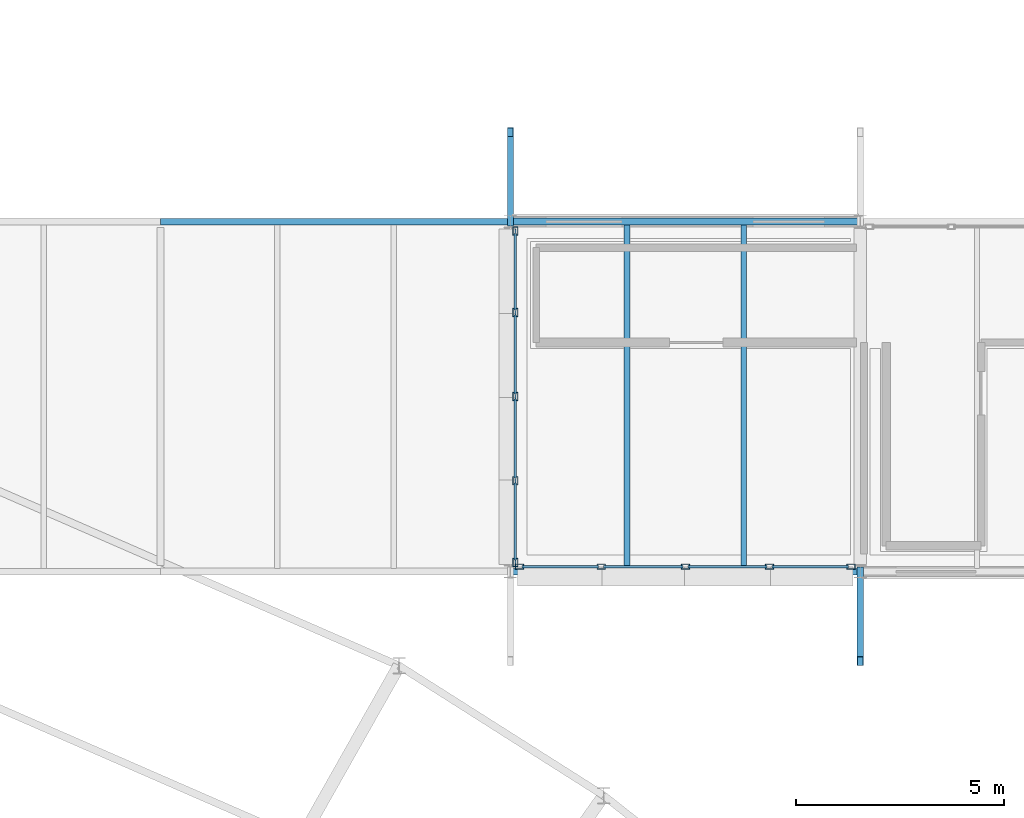
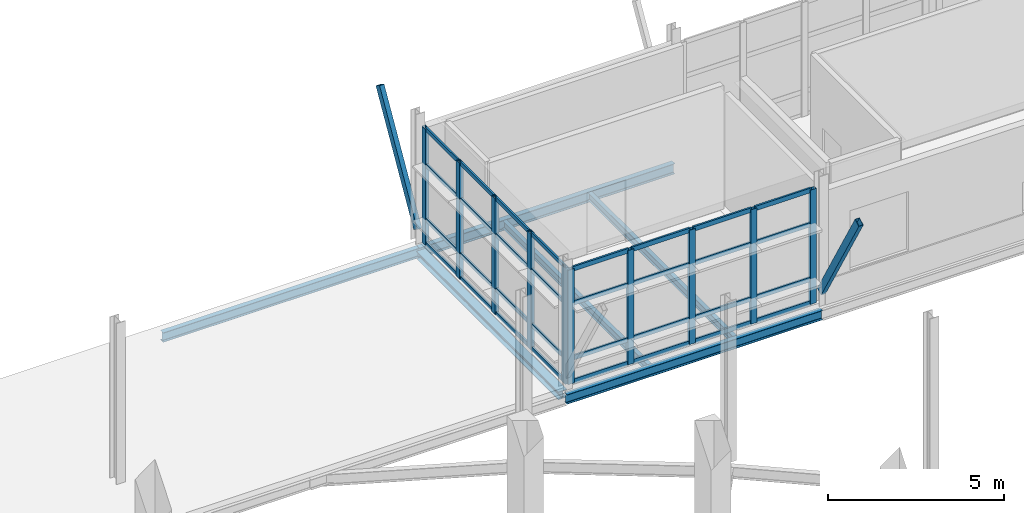
# One storey, part 20 of 129: 44 members, 6 beams, 2 elements without a shape of their own.
"""IFC4 building model written with IfcOpenShell, lengths in metres."""

from ifc_helpers import new_model, si_unit, direction, frame, origin, origin_2d, place, context, subcontext, project, spatial, hollow_rectangle, i_section, extrude, material, material_profile, profile_set, type_object, element, aggregate, save


model = new_model("IFC4")

# Units and contexts
model_context = context("Model", 3, precision=1e-05, world=origin(), true_north=direction((0.0, 1.0)))
body_context = subcontext(model_context, "Body", "Model", "MODEL_VIEW")
ifc_project = project(units=[si_unit("LENGTHUNIT", "METRE"), si_unit("AREAUNIT", "SQUARE_METRE"), si_unit("VOLUMEUNIT", "CUBIC_METRE"), si_unit("PLANEANGLEUNIT", "RADIAN"), si_unit("MASSUNIT", "GRAM", prefix="KILO")], contexts=[model_context])

# Site, building, storey
site_placement = place(None, origin())
site = spatial("IfcSite", under=ifc_project, at=site_placement, CompositionType="ELEMENT")
building_placement = place(site_placement, origin())
building = spatial("IfcBuilding", under=site, at=building_placement, Name="Mersafa Astral City Hall", CompositionType="ELEMENT")
storey_placement = place(building_placement, frame((0.0, 0.0, 5.39990234375)))
storey = spatial("IfcBuildingStorey", under=building, at=storey_placement, Name="L01", CompositionType="ELEMENT", Elevation=5.39990234375)

# Curtain wall, members
ifc_material_1 = material(Name="Anodised bronze aluminium framing", Category="aluminium")
curtain_wall_type_1 = type_object("IfcCurtainWallType", Name="ENV-CW-4", PredefinedType="USERDEFINED", material=ifc_material_1)
curtain_wall_1_placement = place(storey_placement, origin())
curtain_wall_1 = element("IfcCurtainWall", 1, at=curtain_wall_1_placement, inside=storey, type_object=curtain_wall_type_1, Name="L01 Unitised solar curtain wall 99", ObjectType="UNITISED CURTAIN WALL", PredefinedType="USERDEFINED")
ifc_material_profile_1 = material_profile(ifc_material_1, hollow_rectangle(XDim=0.1201171875, YDim=0.199951171875, WallThickness=0.008056640625, at=origin_2d()), Name="RHS 120x200x8")
ifc_profile_set_1 = profile_set([ifc_material_profile_1], Name="Anodised bronze aluminium framing")
member_type_1 = type_object("IfcMemberType", Name="ENV-CW-MUL-2", PredefinedType="MULLION", material=ifc_profile_set_1)
member_1_placement = place(storey_placement, frame((42.1201171875, 58.577880859375, -0.001953125), z_axis=(0.0, 0.0, 1.0), x_axis=(1.0, 0.0, 0.0)))
member_1 = element("IfcMember", 2, at=member_1_placement, type_object=member_type_1, Name="CW-4 mullion 1", PredefinedType="MULLION", context=body_context, shape_type="SweptSolid", body=[
    extrude(hollow_rectangle(XDim=0.1201171875, YDim=0.199951171875, WallThickness=0.008056640625, at=origin_2d()), origin(), (0.0, 0.0, 1.0), 4.029052734375),
])
member_2_placement = place(storey_placement, frame((42.1201171875, 56.618896484375, -0.001953125), z_axis=(0.0, 0.0, 1.0), x_axis=(1.0, 0.0, 0.0)))
member_2 = element("IfcMember", 3, at=member_2_placement, type_object=member_type_1, Name="CW-4 mullion 2", PredefinedType="MULLION", context=body_context, shape_type="SweptSolid", body=[
    extrude(hollow_rectangle(XDim=0.1201171875, YDim=0.199951171875, WallThickness=0.008056640625, at=origin_2d()), origin(), (0.0, 0.0, 1.0), 4.029052734375),
])
member_3_placement = place(storey_placement, frame((42.1201171875, 54.60009765625, -0.001953125), z_axis=(0.0, 0.0, 1.0), x_axis=(1.0, 0.0, 0.0)))
member_3 = element("IfcMember", 4, at=member_3_placement, type_object=member_type_1, Name="CW-4 mullion 3", PredefinedType="MULLION", context=body_context, shape_type="SweptSolid", body=[
    extrude(hollow_rectangle(XDim=0.1201171875, YDim=0.199951171875, WallThickness=0.008056640625, at=origin_2d()), origin(), (0.0, 0.0, 1.0), 4.029052734375),
])
member_4_placement = place(storey_placement, frame((42.1201171875, 52.5810546875, -0.001953125), z_axis=(0.0, 0.0, 1.0), x_axis=(1.0, 0.0, 0.0)))
member_4 = element("IfcMember", 5, at=member_4_placement, type_object=member_type_1, Name="CW-4 mullion 4", PredefinedType="MULLION", context=body_context, shape_type="SweptSolid", body=[
    extrude(hollow_rectangle(XDim=0.1201171875, YDim=0.199951171875, WallThickness=0.008056640625, at=origin_2d()), origin(), (0.0, 0.0, 1.0), 4.029052734375),
])
member_5_placement = place(storey_placement, frame((42.1201171875, 50.6220703125, -0.001953125), z_axis=(0.0, 0.0, 1.0), x_axis=(1.0, 0.0, 0.0)))
member_5 = element("IfcMember", 6, at=member_5_placement, type_object=member_type_1, Name="CW-4 mullion 5", PredefinedType="MULLION", context=body_context, shape_type="SweptSolid", body=[
    extrude(hollow_rectangle(XDim=0.1201171875, YDim=0.199951171875, WallThickness=0.008056640625, at=origin_2d()), origin(), (0.0, 0.0, 1.0), 4.029052734375),
])

curtain_wall_type_2 = type_object("IfcCurtainWallType", Name="ENV-CW-5", PredefinedType="USERDEFINED", material=ifc_material_1)
curtain_wall_2_placement = place(storey_placement, origin())
curtain_wall_2 = element("IfcCurtainWall", 7, at=curtain_wall_2_placement, inside=storey, type_object=curtain_wall_type_2, Name="L01 Unitised solar curtain wall 100", ObjectType="UNITISED CURTAIN WALL", PredefinedType="USERDEFINED")
member_6_placement = place(storey_placement, frame((42.221923828125, 50.52001953125, -0.001953125), z_axis=(0.0, 0.0, 1.0), x_axis=(0.0, 1.0, 0.0)))
member_6 = element("IfcMember", 8, at=member_6_placement, type_object=member_type_1, Name="CW-5 mullion 1", PredefinedType="MULLION", context=body_context, shape_type="SweptSolid", body=[
    extrude(hollow_rectangle(XDim=0.1201171875, YDim=0.199951171875, WallThickness=0.008056640625, at=origin_2d()), origin(), (0.0, 0.0, 1.0), 3.968994140625),
])
member_7_placement = place(storey_placement, frame((44.180908203125, 50.52001953125, -0.001953125), z_axis=(0.0, 0.0, 1.0), x_axis=(0.0, 1.0, 0.0)))
member_7 = element("IfcMember", 9, at=member_7_placement, type_object=member_type_1, Name="CW-5 mullion 2", PredefinedType="MULLION", context=body_context, shape_type="SweptSolid", body=[
    extrude(hollow_rectangle(XDim=0.1201171875, YDim=0.199951171875, WallThickness=0.008056640625, at=origin_2d()), origin(), (0.0, 0.0, 1.0), 3.968994140625),
])
member_8_placement = place(storey_placement, frame((46.199951171875, 50.52001953125, -0.001953125), z_axis=(0.0, 0.0, 1.0), x_axis=(0.0, 1.0, 0.0)))
member_8 = element("IfcMember", 10, at=member_8_placement, type_object=member_type_1, Name="CW-5 mullion 3", PredefinedType="MULLION", context=body_context, shape_type="SweptSolid", body=[
    extrude(hollow_rectangle(XDim=0.1201171875, YDim=0.199951171875, WallThickness=0.008056640625, at=origin_2d()), origin(), (0.0, 0.0, 1.0), 3.968994140625),
])
member_9_placement = place(storey_placement, frame((48.218994140625, 50.52001953125, -0.001953125), z_axis=(0.0, 0.0, 1.0), x_axis=(0.0, 1.0, 0.0)))
member_9 = element("IfcMember", 11, at=member_9_placement, type_object=member_type_1, Name="CW-5 mullion 4", PredefinedType="MULLION", context=body_context, shape_type="SweptSolid", body=[
    extrude(hollow_rectangle(XDim=0.1201171875, YDim=0.199951171875, WallThickness=0.008056640625, at=origin_2d()), origin(), (0.0, 0.0, 1.0), 3.968994140625),
])
member_10_placement = place(storey_placement, frame((50.177978515625, 50.52001953125, -0.001953125), z_axis=(0.0, 0.0, 1.0), x_axis=(0.0, 1.0, 0.0)))
member_10 = element("IfcMember", 12, at=member_10_placement, type_object=member_type_1, Name="CW-5 mullion 5", PredefinedType="MULLION", context=body_context, shape_type="SweptSolid", body=[
    extrude(hollow_rectangle(XDim=0.1201171875, YDim=0.199951171875, WallThickness=0.008056640625, at=origin_2d()), origin(), (0.0, 0.0, 1.0), 3.968994140625),
])

# Member
ifc_material_profile_2 = material_profile(ifc_material_1, hollow_rectangle(XDim=0.06005859375, YDim=0.139892578125, WallThickness=0.00390625, at=origin_2d()), Name="RHS 60x140x4")
ifc_profile_set_2 = profile_set([ifc_material_profile_2], Name="Anodised bronze aluminium framing")
member_type_2 = type_object("IfcMemberType", Name="ENV-CW-TRN-1", PredefinedType="USERDEFINED", material=ifc_profile_set_2)
member_11_placement = place(storey_placement, frame((42.1201171875, 58.51806640625, 0.028076171875), z_axis=(0.0, -1.0, 0.0), x_axis=(1.0, 0.0, 0.0)))
member_11 = element("IfcMember", 13, at=member_11_placement, type_object=member_type_2, Name="CW-4 transom 1.1", ObjectType="TRANSOM", PredefinedType="USERDEFINED", context=body_context, shape_type="SweptSolid", body=[
    extrude(hollow_rectangle(XDim=0.06005859375, YDim=0.139892578125, WallThickness=0.00390625, at=origin_2d()), origin(), (0.0, 0.0, 1.0), 1.839111328125),
])

member_12_placement = place(storey_placement, frame((42.1201171875, 58.51806640625, 0.85009765625), z_axis=(0.0, -1.0, 0.0), x_axis=(1.0, 0.0, 0.0)))
member_12 = element("IfcMember", 14, at=member_12_placement, type_object=member_type_2, Name="CW-4 transom 1.2", ObjectType="TRANSOM", PredefinedType="USERDEFINED", context=body_context, shape_type="SweptSolid", body=[
    extrude(hollow_rectangle(XDim=0.06005859375, YDim=0.139892578125, WallThickness=0.00390625, at=origin_2d()), origin(), (0.0, 0.0, 1.0), 1.839111328125),
])

member_13_placement = place(storey_placement, frame((42.1201171875, 58.51806640625, 2.75), z_axis=(0.0, -1.0, 0.0), x_axis=(1.0, 0.0, 0.0)))
member_13 = element("IfcMember", 15, at=member_13_placement, type_object=member_type_2, Name="CW-4 transom 1.3", ObjectType="TRANSOM", PredefinedType="USERDEFINED", context=body_context, shape_type="SweptSolid", body=[
    extrude(hollow_rectangle(XDim=0.06005859375, YDim=0.139892578125, WallThickness=0.00390625, at=origin_2d()), origin(), (0.0, 0.0, 1.0), 1.839111328125),
])

member_14_placement = place(storey_placement, frame((42.1201171875, 58.51806640625, 3.9970703125), z_axis=(0.0, -1.0, 0.0), x_axis=(1.0, 0.0, 0.0)))
member_14 = element("IfcMember", 16, at=member_14_placement, type_object=member_type_2, Name="CW-4 transom 1.4", ObjectType="TRANSOM", PredefinedType="USERDEFINED", context=body_context, shape_type="SweptSolid", body=[
    extrude(hollow_rectangle(XDim=0.06005859375, YDim=0.139892578125, WallThickness=0.00390625, at=origin_2d()), origin(), (0.0, 0.0, 1.0), 1.839111328125),
])

member_15_placement = place(storey_placement, frame((42.1201171875, 56.55908203125, 0.028076171875), z_axis=(0.0, -1.0, 0.0), x_axis=(1.0, 0.0, 0.0)))
member_15 = element("IfcMember", 17, at=member_15_placement, type_object=member_type_2, Name="CW-4 transom 2.1", ObjectType="TRANSOM", PredefinedType="USERDEFINED", context=body_context, shape_type="SweptSolid", body=[
    extrude(hollow_rectangle(XDim=0.06005859375, YDim=0.139892578125, WallThickness=0.00390625, at=origin_2d()), origin(), (0.0, 0.0, 1.0), 1.899169921875),
])

member_16_placement = place(storey_placement, frame((42.1201171875, 56.55908203125, 0.85009765625), z_axis=(0.0, -1.0, 0.0), x_axis=(1.0, 0.0, 0.0)))
member_16 = element("IfcMember", 18, at=member_16_placement, type_object=member_type_2, Name="CW-4 transom 2.2", ObjectType="TRANSOM", PredefinedType="USERDEFINED", context=body_context, shape_type="SweptSolid", body=[
    extrude(hollow_rectangle(XDim=0.06005859375, YDim=0.139892578125, WallThickness=0.00390625, at=origin_2d()), origin(), (0.0, 0.0, 1.0), 1.899169921875),
])

member_17_placement = place(storey_placement, frame((42.1201171875, 56.55908203125, 2.75), z_axis=(0.0, -1.0, 0.0), x_axis=(1.0, 0.0, 0.0)))
member_17 = element("IfcMember", 19, at=member_17_placement, type_object=member_type_2, Name="CW-4 transom 2.3", ObjectType="TRANSOM", PredefinedType="USERDEFINED", context=body_context, shape_type="SweptSolid", body=[
    extrude(hollow_rectangle(XDim=0.06005859375, YDim=0.139892578125, WallThickness=0.00390625, at=origin_2d()), origin(), (0.0, 0.0, 1.0), 1.899169921875),
])

member_18_placement = place(storey_placement, frame((42.1201171875, 56.55908203125, 3.9970703125), z_axis=(0.0, -1.0, 0.0), x_axis=(1.0, 0.0, 0.0)))
member_18 = element("IfcMember", 20, at=member_18_placement, type_object=member_type_2, Name="CW-4 transom 2.4", ObjectType="TRANSOM", PredefinedType="USERDEFINED", context=body_context, shape_type="SweptSolid", body=[
    extrude(hollow_rectangle(XDim=0.06005859375, YDim=0.139892578125, WallThickness=0.00390625, at=origin_2d()), origin(), (0.0, 0.0, 1.0), 1.899169921875),
])

member_19_placement = place(storey_placement, frame((42.1201171875, 54.5400390625, 0.028076171875), z_axis=(0.0, -1.0, 0.0), x_axis=(1.0, 0.0, 0.0)))
member_19 = element("IfcMember", 21, at=member_19_placement, type_object=member_type_2, Name="CW-4 transom 3.1", ObjectType="TRANSOM", PredefinedType="USERDEFINED", context=body_context, shape_type="SweptSolid", body=[
    extrude(hollow_rectangle(XDim=0.06005859375, YDim=0.139892578125, WallThickness=0.00390625, at=origin_2d()), origin(), (0.0, 0.0, 1.0), 1.89892578125),
])

member_20_placement = place(storey_placement, frame((42.1201171875, 54.5400390625, 0.85009765625), z_axis=(0.0, -1.0, 0.0), x_axis=(1.0, 0.0, 0.0)))
member_20 = element("IfcMember", 22, at=member_20_placement, type_object=member_type_2, Name="CW-4 transom 3.2", ObjectType="TRANSOM", PredefinedType="USERDEFINED", context=body_context, shape_type="SweptSolid", body=[
    extrude(hollow_rectangle(XDim=0.06005859375, YDim=0.139892578125, WallThickness=0.00390625, at=origin_2d()), origin(), (0.0, 0.0, 1.0), 1.89892578125),
])

member_21_placement = place(storey_placement, frame((42.1201171875, 54.5400390625, 2.75), z_axis=(0.0, -1.0, 0.0), x_axis=(1.0, 0.0, 0.0)))
member_21 = element("IfcMember", 23, at=member_21_placement, type_object=member_type_2, Name="CW-4 transom 3.3", ObjectType="TRANSOM", PredefinedType="USERDEFINED", context=body_context, shape_type="SweptSolid", body=[
    extrude(hollow_rectangle(XDim=0.06005859375, YDim=0.139892578125, WallThickness=0.00390625, at=origin_2d()), origin(), (0.0, 0.0, 1.0), 1.89892578125),
])

member_22_placement = place(storey_placement, frame((42.1201171875, 54.5400390625, 3.9970703125), z_axis=(0.0, -1.0, 0.0), x_axis=(1.0, 0.0, 0.0)))
member_22 = element("IfcMember", 24, at=member_22_placement, type_object=member_type_2, Name="CW-4 transom 3.4", ObjectType="TRANSOM", PredefinedType="USERDEFINED", context=body_context, shape_type="SweptSolid", body=[
    extrude(hollow_rectangle(XDim=0.06005859375, YDim=0.139892578125, WallThickness=0.00390625, at=origin_2d()), origin(), (0.0, 0.0, 1.0), 1.89892578125),
])

member_23_placement = place(storey_placement, frame((42.1201171875, 52.52099609375, 0.028076171875), z_axis=(0.0, -1.0, 0.0), x_axis=(1.0, 0.0, 0.0)))
member_23 = element("IfcMember", 25, at=member_23_placement, type_object=member_type_2, Name="CW-4 transom 4.1", ObjectType="TRANSOM", PredefinedType="USERDEFINED", context=body_context, shape_type="SweptSolid", body=[
    extrude(hollow_rectangle(XDim=0.06005859375, YDim=0.139892578125, WallThickness=0.00390625, at=origin_2d()), origin(), (0.0, 0.0, 1.0), 1.839111328125),
])

member_24_placement = place(storey_placement, frame((42.1201171875, 52.52099609375, 0.85009765625), z_axis=(0.0, -1.0, 0.0), x_axis=(1.0, 0.0, 0.0)))
member_24 = element("IfcMember", 26, at=member_24_placement, type_object=member_type_2, Name="CW-4 transom 4.2", ObjectType="TRANSOM", PredefinedType="USERDEFINED", context=body_context, shape_type="SweptSolid", body=[
    extrude(hollow_rectangle(XDim=0.06005859375, YDim=0.139892578125, WallThickness=0.00390625, at=origin_2d()), origin(), (0.0, 0.0, 1.0), 1.839111328125),
])

member_25_placement = place(storey_placement, frame((42.1201171875, 52.52099609375, 2.75), z_axis=(0.0, -1.0, 0.0), x_axis=(1.0, 0.0, 0.0)))
member_25 = element("IfcMember", 27, at=member_25_placement, type_object=member_type_2, Name="CW-4 transom 4.3", ObjectType="TRANSOM", PredefinedType="USERDEFINED", context=body_context, shape_type="SweptSolid", body=[
    extrude(hollow_rectangle(XDim=0.06005859375, YDim=0.139892578125, WallThickness=0.00390625, at=origin_2d()), origin(), (0.0, 0.0, 1.0), 1.839111328125),
])

member_26_placement = place(storey_placement, frame((42.1201171875, 52.52099609375, 3.9970703125), z_axis=(0.0, -1.0, 0.0), x_axis=(1.0, 0.0, 0.0)))
member_26 = element("IfcMember", 28, at=member_26_placement, type_object=member_type_2, Name="CW-4 transom 4.4", ObjectType="TRANSOM", PredefinedType="USERDEFINED", context=body_context, shape_type="SweptSolid", body=[
    extrude(hollow_rectangle(XDim=0.06005859375, YDim=0.139892578125, WallThickness=0.00390625, at=origin_2d()), origin(), (0.0, 0.0, 1.0), 1.839111328125),
])

aggregate(curtain_wall_1, [member_1, member_2, member_3, member_4, member_5, member_11, member_12, member_13, member_14, member_15, member_16, member_17, member_18, member_19, member_20, member_21, member_22, member_23, member_24, member_25, member_26])

ifc_material_profile_3 = material_profile(ifc_material_1, hollow_rectangle(XDim=0.06005859375, YDim=0.159912109375, WallThickness=0.00390625, at=origin_2d()), Name="RHS 60x160x4")
ifc_profile_set_3 = profile_set([ifc_material_profile_3], Name="Anodised bronze aluminium framing")
member_type_3 = type_object("IfcMemberType", Name="ENV-CW-TRN-2", PredefinedType="USERDEFINED", material=ifc_profile_set_3)
member_27_placement = place(storey_placement, frame((42.281982421875, 50.52001953125, 0.028076171875), z_axis=(1.0, 0.0, 0.0), x_axis=(0.0, 1.0, 0.0)))
member_27 = element("IfcMember", 29, at=member_27_placement, type_object=member_type_3, Name="CW-5 transom 1.1", ObjectType="TRANSOM", PredefinedType="USERDEFINED", context=body_context, shape_type="SweptSolid", body=[
    extrude(hollow_rectangle(XDim=0.06005859375, YDim=0.159912109375, WallThickness=0.00390625, at=origin_2d()), origin(), (0.0, 0.0, 1.0), 1.839111328125),
])

member_28_placement = place(storey_placement, frame((42.281982421875, 50.52001953125, 0.85009765625), z_axis=(1.0, 0.0, 0.0), x_axis=(0.0, 1.0, 0.0)))
member_28 = element("IfcMember", 30, at=member_28_placement, type_object=member_type_3, Name="CW-5 transom 1.2", ObjectType="TRANSOM", PredefinedType="USERDEFINED", context=body_context, shape_type="SweptSolid", body=[
    extrude(hollow_rectangle(XDim=0.06005859375, YDim=0.159912109375, WallThickness=0.00390625, at=origin_2d()), origin(), (0.0, 0.0, 1.0), 1.839111328125),
])

member_29_placement = place(storey_placement, frame((42.281982421875, 50.52001953125, 2.75), z_axis=(1.0, 0.0, 0.0), x_axis=(0.0, 1.0, 0.0)))
member_29 = element("IfcMember", 31, at=member_29_placement, type_object=member_type_3, Name="CW-5 transom 1.3", ObjectType="TRANSOM", PredefinedType="USERDEFINED", context=body_context, shape_type="SweptSolid", body=[
    extrude(hollow_rectangle(XDim=0.06005859375, YDim=0.159912109375, WallThickness=0.00390625, at=origin_2d()), origin(), (0.0, 0.0, 1.0), 1.839111328125),
])

member_30_placement = place(storey_placement, frame((42.281982421875, 50.52001953125, 3.93701171875), z_axis=(1.0, 0.0, 0.0), x_axis=(0.0, 1.0, 0.0)))
member_30 = element("IfcMember", 32, at=member_30_placement, type_object=member_type_3, Name="CW-5 transom 1.4", ObjectType="TRANSOM", PredefinedType="USERDEFINED", context=body_context, shape_type="SweptSolid", body=[
    extrude(hollow_rectangle(XDim=0.06005859375, YDim=0.159912109375, WallThickness=0.00390625, at=origin_2d()), origin(), (0.0, 0.0, 1.0), 1.839111328125),
])

member_31_placement = place(storey_placement, frame((44.240966796875, 50.52001953125, 0.028076171875), z_axis=(1.0, 0.0, 0.0), x_axis=(0.0, 1.0, 0.0)))
member_31 = element("IfcMember", 33, at=member_31_placement, type_object=member_type_3, Name="CW-5 transom 2.1", ObjectType="TRANSOM", PredefinedType="USERDEFINED", context=body_context, shape_type="SweptSolid", body=[
    extrude(hollow_rectangle(XDim=0.06005859375, YDim=0.159912109375, WallThickness=0.00390625, at=origin_2d()), origin(), (0.0, 0.0, 1.0), 1.89892578125),
])

member_32_placement = place(storey_placement, frame((44.240966796875, 50.52001953125, 0.85009765625), z_axis=(1.0, 0.0, 0.0), x_axis=(0.0, 1.0, 0.0)))
member_32 = element("IfcMember", 34, at=member_32_placement, type_object=member_type_3, Name="CW-5 transom 2.2", ObjectType="TRANSOM", PredefinedType="USERDEFINED", context=body_context, shape_type="SweptSolid", body=[
    extrude(hollow_rectangle(XDim=0.06005859375, YDim=0.159912109375, WallThickness=0.00390625, at=origin_2d()), origin(), (0.0, 0.0, 1.0), 1.89892578125),
])

member_33_placement = place(storey_placement, frame((44.240966796875, 50.52001953125, 2.75), z_axis=(1.0, 0.0, 0.0), x_axis=(0.0, 1.0, 0.0)))
member_33 = element("IfcMember", 35, at=member_33_placement, type_object=member_type_3, Name="CW-5 transom 2.3", ObjectType="TRANSOM", PredefinedType="USERDEFINED", context=body_context, shape_type="SweptSolid", body=[
    extrude(hollow_rectangle(XDim=0.06005859375, YDim=0.159912109375, WallThickness=0.00390625, at=origin_2d()), origin(), (0.0, 0.0, 1.0), 1.89892578125),
])

member_34_placement = place(storey_placement, frame((44.240966796875, 50.52001953125, 3.93701171875), z_axis=(1.0, 0.0, 0.0), x_axis=(0.0, 1.0, 0.0)))
member_34 = element("IfcMember", 36, at=member_34_placement, type_object=member_type_3, Name="CW-5 transom 2.4", ObjectType="TRANSOM", PredefinedType="USERDEFINED", context=body_context, shape_type="SweptSolid", body=[
    extrude(hollow_rectangle(XDim=0.06005859375, YDim=0.159912109375, WallThickness=0.00390625, at=origin_2d()), origin(), (0.0, 0.0, 1.0), 1.89892578125),
])

member_35_placement = place(storey_placement, frame((46.260009765625, 50.52001953125, 0.028076171875), z_axis=(1.0, 0.0, 0.0), x_axis=(0.0, 1.0, 0.0)))
member_35 = element("IfcMember", 37, at=member_35_placement, type_object=member_type_3, Name="CW-5 transom 3.1", ObjectType="TRANSOM", PredefinedType="USERDEFINED", context=body_context, shape_type="SweptSolid", body=[
    extrude(hollow_rectangle(XDim=0.06005859375, YDim=0.159912109375, WallThickness=0.00390625, at=origin_2d()), origin(), (0.0, 0.0, 1.0), 1.89892578125),
])

member_36_placement = place(storey_placement, frame((46.260009765625, 50.52001953125, 0.85009765625), z_axis=(1.0, 0.0, 0.0), x_axis=(0.0, 1.0, 0.0)))
member_36 = element("IfcMember", 38, at=member_36_placement, type_object=member_type_3, Name="CW-5 transom 3.2", ObjectType="TRANSOM", PredefinedType="USERDEFINED", context=body_context, shape_type="SweptSolid", body=[
    extrude(hollow_rectangle(XDim=0.06005859375, YDim=0.159912109375, WallThickness=0.00390625, at=origin_2d()), origin(), (0.0, 0.0, 1.0), 1.89892578125),
])

member_37_placement = place(storey_placement, frame((46.260009765625, 50.52001953125, 2.75), z_axis=(1.0, 0.0, 0.0), x_axis=(0.0, 1.0, 0.0)))
member_37 = element("IfcMember", 39, at=member_37_placement, type_object=member_type_3, Name="CW-5 transom 3.3", ObjectType="TRANSOM", PredefinedType="USERDEFINED", context=body_context, shape_type="SweptSolid", body=[
    extrude(hollow_rectangle(XDim=0.06005859375, YDim=0.159912109375, WallThickness=0.00390625, at=origin_2d()), origin(), (0.0, 0.0, 1.0), 1.89892578125),
])

member_38_placement = place(storey_placement, frame((46.260009765625, 50.52001953125, 3.93701171875), z_axis=(1.0, 0.0, 0.0), x_axis=(0.0, 1.0, 0.0)))
member_38 = element("IfcMember", 40, at=member_38_placement, type_object=member_type_3, Name="CW-5 transom 3.4", ObjectType="TRANSOM", PredefinedType="USERDEFINED", context=body_context, shape_type="SweptSolid", body=[
    extrude(hollow_rectangle(XDim=0.06005859375, YDim=0.159912109375, WallThickness=0.00390625, at=origin_2d()), origin(), (0.0, 0.0, 1.0), 1.89892578125),
])

member_39_placement = place(storey_placement, frame((48.279052734375, 50.52001953125, 0.028076171875), z_axis=(1.0, 0.0, 0.0), x_axis=(0.0, 1.0, 0.0)))
member_39 = element("IfcMember", 41, at=member_39_placement, type_object=member_type_3, Name="CW-5 transom 4.1", ObjectType="TRANSOM", PredefinedType="USERDEFINED", context=body_context, shape_type="SweptSolid", body=[
    extrude(hollow_rectangle(XDim=0.06005859375, YDim=0.159912109375, WallThickness=0.00390625, at=origin_2d()), origin(), (0.0, 0.0, 1.0), 1.8388671875),
])

member_40_placement = place(storey_placement, frame((48.279052734375, 50.52001953125, 0.85009765625), z_axis=(1.0, 0.0, 0.0), x_axis=(0.0, 1.0, 0.0)))
member_40 = element("IfcMember", 42, at=member_40_placement, type_object=member_type_3, Name="CW-5 transom 4.2", ObjectType="TRANSOM", PredefinedType="USERDEFINED", context=body_context, shape_type="SweptSolid", body=[
    extrude(hollow_rectangle(XDim=0.06005859375, YDim=0.159912109375, WallThickness=0.00390625, at=origin_2d()), origin(), (0.0, 0.0, 1.0), 1.8388671875),
])

member_41_placement = place(storey_placement, frame((48.279052734375, 50.52001953125, 2.75), z_axis=(1.0, 0.0, 0.0), x_axis=(0.0, 1.0, 0.0)))
member_41 = element("IfcMember", 43, at=member_41_placement, type_object=member_type_3, Name="CW-5 transom 4.3", ObjectType="TRANSOM", PredefinedType="USERDEFINED", context=body_context, shape_type="SweptSolid", body=[
    extrude(hollow_rectangle(XDim=0.06005859375, YDim=0.159912109375, WallThickness=0.00390625, at=origin_2d()), origin(), (0.0, 0.0, 1.0), 1.8388671875),
])

member_42_placement = place(storey_placement, frame((48.279052734375, 50.52001953125, 3.93701171875), z_axis=(1.0, 0.0, 0.0), x_axis=(0.0, 1.0, 0.0)))
member_42 = element("IfcMember", 44, at=member_42_placement, type_object=member_type_3, Name="CW-5 transom 4.4", ObjectType="TRANSOM", PredefinedType="USERDEFINED", context=body_context, shape_type="SweptSolid", body=[
    extrude(hollow_rectangle(XDim=0.06005859375, YDim=0.159912109375, WallThickness=0.00390625, at=origin_2d()), origin(), (0.0, 0.0, 1.0), 1.8388671875),
])

aggregate(curtain_wall_2, [member_6, member_7, member_8, member_9, member_10, member_27, member_28, member_29, member_30, member_31, member_32, member_33, member_34, member_35, member_36, member_37, member_38, member_39, member_40, member_41, member_42])

# Beams
ifc_material_2 = material(Name="Steel S355", Category="steel")
ifc_material_profile_4 = material_profile(ifc_material_2, i_section(OverallWidth=0.135009765625, OverallDepth=0.27001953125, WebThickness=0.006591796875, FlangeThickness=0.01025390625, FilletRadius=0.014892578125, at=origin_2d()), Name="IPE 270")
ifc_profile_set_4 = profile_set([ifc_material_profile_4], Name="Steel S355")
beam_type_1 = type_object("IfcBeamType", Name="STR-BM-JOIST-IPE270", PredefinedType="JOIST", material=ifc_profile_set_4)
for number, where, z_axis, x_axis, name in (
    (45, (44.800048828125, 50.47509765625, -0.35986328125), (0.0, 1.0, 0.0), (-1.0, 0.0, 0.0), "L01 Composite secondary floor joist 242"),
    (46, (47.60009765625, 50.47509765625, -0.35986328125), (0.0, 1.0, 0.0), (-1.0, 0.0, 0.0), "L01 Composite secondary floor joist 243"),
):
    element("IfcBeam", number, at=place(storey_placement, frame(where, z_axis=z_axis, x_axis=x_axis)), inside=storey, type_object=beam_type_1, Name=name, PredefinedType="JOIST", context=body_context, shape_type="SweptSolid", body=[
        extrude(i_section(OverallWidth=0.135009765625, OverallDepth=0.27001953125, WebThickness=0.006591796875, FlangeThickness=0.01025390625, FilletRadius=0.014892578125, at=origin_2d()), origin(), (0.0, 0.0, 1.0), 8.244873046875),
    ])
ifc_material_profile_5 = material_profile(ifc_material_2, i_section(OverallWidth=0.280029296875, OverallDepth=0.27001953125, WebThickness=0.008056640625, FlangeThickness=0.012939453125, FilletRadius=0.02392578125, at=origin_2d()), Name="HEA 280")
ifc_profile_set_5 = profile_set([ifc_material_profile_5], Name="Steel S355")
beam_type_2 = type_object("IfcBeamType", Name="STR-BM-SPANDREL-HEA280", PredefinedType="SPANDREL", material=ifc_profile_set_5)
beam_1_placement = place(storey_placement, frame((42.0, 50.56494140625, -0.35986328125), z_axis=(0.0, 1.0, 0.0), x_axis=(-1.0, 0.0, 0.0)))
element("IfcBeam", 47, at=beam_1_placement, inside=storey, type_object=beam_type_2, Name="L01 Primary girder Y 5-6", PredefinedType="SPANDREL", context=body_context, shape_type="SweptSolid", body=[
    extrude(i_section(OverallWidth=0.280029296875, OverallDepth=0.27001953125, WebThickness=0.008056640625, FlangeThickness=0.012939453125, FilletRadius=0.02392578125, at=origin_2d()), origin(), (0.0, 0.0, 1.0), 8.06005859375),
])
ifc_material_profile_6 = material_profile(ifc_material_2, i_section(OverallWidth=0.159912109375, OverallDepth=0.330078125, WebThickness=0.007568359375, FlangeThickness=0.011474609375, FilletRadius=0.01806640625, at=origin_2d()), Name="IPE 330")
ifc_profile_set_6 = profile_set([ifc_material_profile_6], Name="Steel S355")
beam_type_3 = type_object("IfcBeamType", Name="STR-BM-SPANDREL-IPE330", PredefinedType="SPANDREL", material=ifc_profile_set_6)
for number, where, z_axis, x_axis, name in (
    (48, (42.0029296875, 50.39990234375, -0.389892578125), (1.0, 0.0, 0.0), (0.0, 1.0, 0.0), "L01 Primary girder X 5-6"),
    (49, (33.60302734375, 58.800048828125, -0.389892578125), (1.0, 0.0, 0.0), (0.0, 1.0, 0.0), "L01 Primary girder X 4-7"),
):
    element("IfcBeam", number, at=place(storey_placement, frame(where, z_axis=z_axis, x_axis=x_axis)), inside=storey, type_object=beam_type_3, Name=name, PredefinedType="SPANDREL", context=body_context, shape_type="SweptSolid", body=[
        extrude(i_section(OverallWidth=0.159912109375, OverallDepth=0.330078125, WebThickness=0.007568359375, FlangeThickness=0.011474609375, FilletRadius=0.01806640625, at=origin_2d()), origin(), (0.0, 0.0, 1.0), 8.39404296875),
    ])
ifc_material_profile_7 = material_profile(ifc_material_2, i_section(OverallWidth=0.169921875, OverallDepth=0.360107421875, WebThickness=0.008056640625, FlangeThickness=0.0126953125, FilletRadius=0.01806640625, at=origin_2d()), Name="IPE 360")
ifc_profile_set_7 = profile_set([ifc_material_profile_7], Name="Steel S355")
beam_type_4 = type_object("IfcBeamType", Name="STR-BM-SPANDREL-IPE360", PredefinedType="SPANDREL", material=ifc_profile_set_7)
beam_2_placement = place(storey_placement, frame((42.0029296875, 58.800048828125, -0.40478515625), z_axis=(1.0, 0.0, 0.0), x_axis=(0.0, 1.0, 0.0)))
element("IfcBeam", 50, at=beam_2_placement, inside=storey, type_object=beam_type_4, Name="L01 Primary girder X 5-7", PredefinedType="SPANDREL", context=body_context, shape_type="SweptSolid", body=[
    extrude(i_section(OverallWidth=0.169921875, OverallDepth=0.360107421875, WebThickness=0.008056640625, FlangeThickness=0.0126953125, FilletRadius=0.01806640625, at=origin_2d()), origin(), (0.0, 0.0, 1.0), 8.39404296875),
])

# Members
ifc_material_profile_8 = material_profile(ifc_material_2, hollow_rectangle(XDim=0.14990234375, YDim=0.25, WallThickness=0.010009765625, at=origin_2d()), Name="RHS 150x250x10")
ifc_profile_set_8 = profile_set([ifc_material_profile_8], Name="Steel S355")
member_type_4 = type_object("IfcMemberType", Name="STR-MBR-STRUT-RHS150X250", PredefinedType="BRACE", material=ifc_profile_set_8)
for number, where, z_axis, x_axis, name in (
    (51, (42.0, 58.800048828125, 0.400146484375), (0.0, 0.503423090929, 0.864040040461), (-1.0, 0.0, 0.0), "L01 Raked cosmic eave strut ROOF-T3-V4S N-5"),
    (52, (50.39990234375, 50.39990234375, 0.400146484375), (0.0, -0.503423090929, 0.864040040461), (1.0, 0.0, 0.0), "L01 Raked cosmic eave strut ROOF-T3-V4S S-6"),
):
    element("IfcMember", number, at=place(storey_placement, frame(where, z_axis=z_axis, x_axis=x_axis)), inside=storey, type_object=member_type_4, Name=name, PredefinedType="BRACE", context=body_context, shape_type="SweptSolid", body=[
        extrude(hollow_rectangle(XDim=0.14990234375, YDim=0.25, WallThickness=0.010009765625, at=origin_2d()), origin(), (0.0, 0.0, 1.0), 4.2705078125),
    ])

save(model, "model.ifc")
